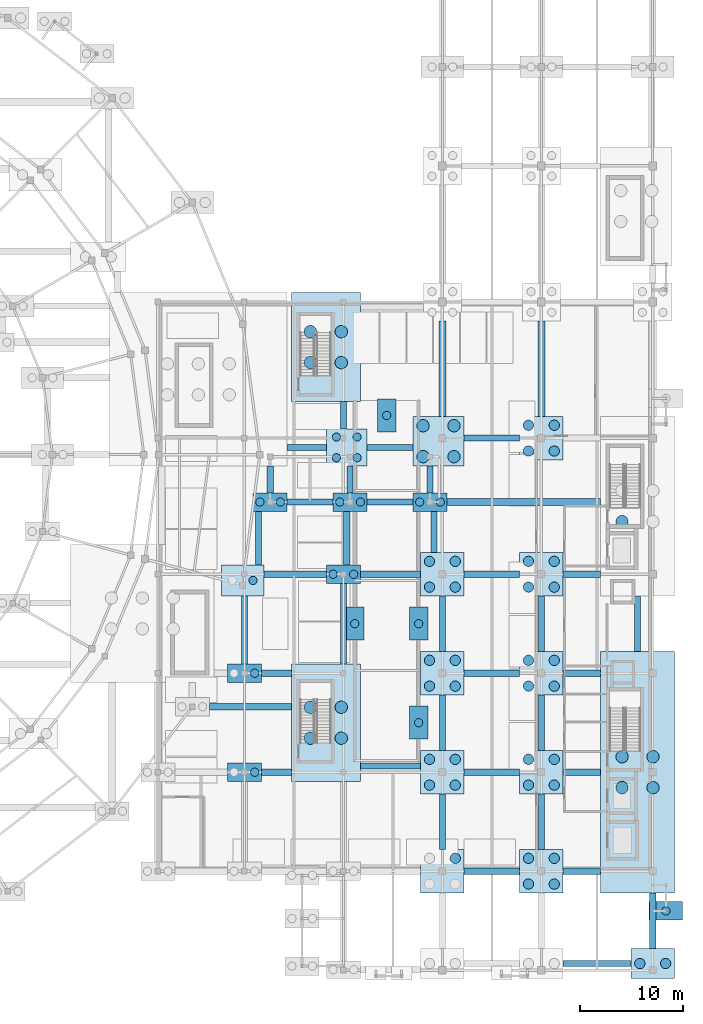
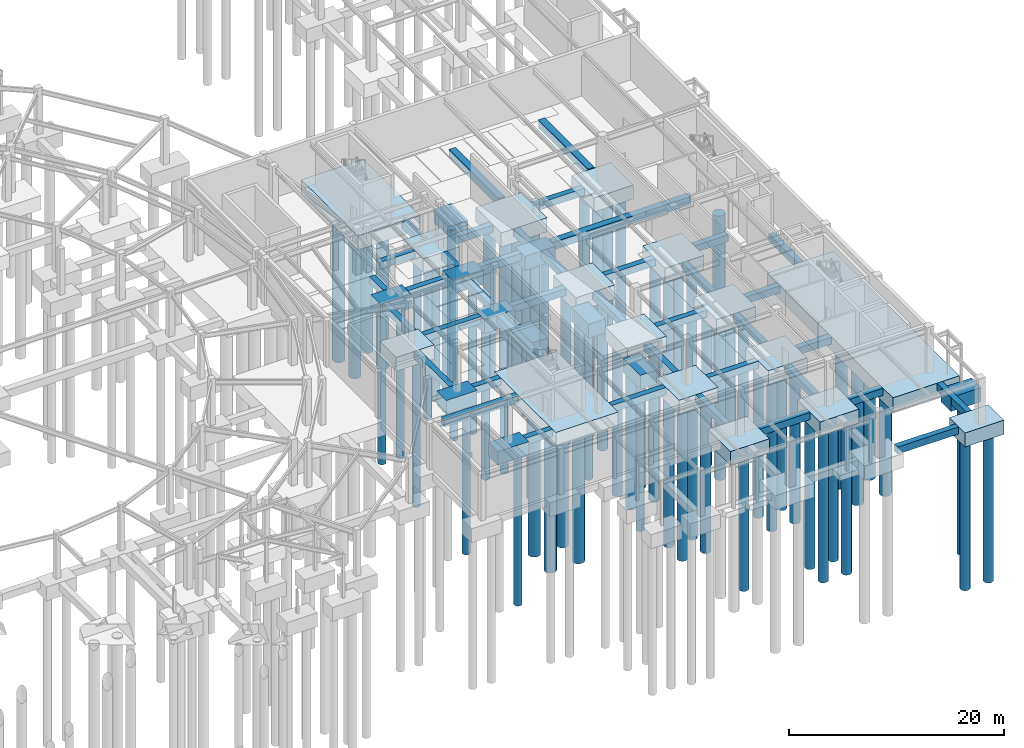
# One storey, part 6 of 55: 72 piles, 67 footings.
"""IFC4 building model written with IfcOpenShell, lengths in metres."""

from ifc_helpers import new_model, si_unit, direction, frame, origin, origin_2d, place, context, subcontext, project, spatial, rectangle, circle, extrude, material, material_profile, profile_set, type_object, element, save


model = new_model("IFC4")

# Units and contexts
model_context = context("Model", 3, precision=1e-05, world=origin(), true_north=direction((0.0, 1.0)))
body_context = subcontext(model_context, "Body", "Model", "MODEL_VIEW")
ifc_project = project(units=[si_unit("LENGTHUNIT", "METRE"), si_unit("AREAUNIT", "SQUARE_METRE"), si_unit("VOLUMEUNIT", "CUBIC_METRE"), si_unit("PLANEANGLEUNIT", "RADIAN"), si_unit("MASSUNIT", "GRAM", prefix="KILO")], contexts=[model_context])

# Site, building, storey
site_placement = place(None, origin())
site = spatial("IfcSite", under=ifc_project, at=site_placement, CompositionType="ELEMENT")
building_placement = place(site_placement, origin())
building = spatial("IfcBuilding", under=site, at=building_placement, Name="Almandine Court Research Institute", CompositionType="ELEMENT")
storey_placement = place(building_placement, frame((0.0, 0.0, -5.25)))
storey = spatial("IfcBuildingStorey", under=building, at=storey_placement, Name="B1", CompositionType="ELEMENT", Elevation=-5.25)

# Footings
ifc_material = material(Name="Concrete C35/45", Category="concrete")
footing_type_1 = type_object("IfcFootingType", Name="Cap-PC-01", PredefinedType="PILE_CAP", material=ifc_material)
footing_1_placement = place(storey_placement, frame((174.0, 6.64990234375, -1.60009765625), z_axis=(0.0, 0.0, 1.0), x_axis=(1.0, 0.0, 0.0)))
element("IfcFooting", 1, at=footing_1_placement, inside=storey, type_object=footing_type_1, Name="Reinforced Concrete Pile Cap 003", PredefinedType="PILE_CAP", context=body_context, shape_type="SweptSolid", body=[
    extrude(rectangle(XDim=4.199951171875, YDim=2.89990234375, at=origin_2d()), origin(), (0.0, 0.0, 1.0), 1.60009765625),
])
footing_type_2 = type_object("IfcFootingType", Name="Cap-PC-05", PredefinedType="PILE_CAP", material=ifc_material)
for number, where, z_axis, x_axis, name in (
    (2, (134.39990234375, 25.199951171875, -1.60009765625), (0.0, 0.0, 1.0), (1.0, 0.0, 0.0), "Reinforced Concrete Pile Cap 038"),
    (3, (134.39990234375, 34.800048828125, -1.60009765625), (0.0, 0.0, 1.0), (1.0, 0.0, 0.0), "Reinforced Concrete Pile Cap 055"),
    (4, (144.0, 44.39990234375, -1.60009765625), (0.0, 0.0, 1.0), (1.0, 0.0, 0.0), "Reinforced Concrete Pile Cap 067"),
    (5, (136.89990234375, 51.39990234375, -1.60009765625), (0.0, 0.0, 1.0), (1.0, 0.0, 0.0), "Reinforced Concrete Pile Cap 074"),
    (6, (144.64990234375, 51.39990234375, -1.60009765625), (0.0, 0.0, 1.0), (1.0, 0.0, 0.0), "Reinforced Concrete Pile Cap 075"),
    (7, (152.39990234375, 51.39990234375, -1.60009765625), (0.0, 0.0, 1.0), (1.0, 0.0, 0.0), "Reinforced Concrete Pile Cap 076"),
):
    element("IfcFooting", number, at=place(storey_placement, frame(where, z_axis=z_axis, x_axis=x_axis)), inside=storey, type_object=footing_type_2, Name=name, PredefinedType="PILE_CAP", context=body_context, shape_type="SweptSolid", body=[
        extrude(rectangle(XDim=3.300048828125, YDim=1.800048828125, at=origin_2d()), origin(), (0.0, 0.0, 1.0), 1.60009765625),
    ])
footing_type_3 = type_object("IfcFootingType", Name="Cap-PC-06", PredefinedType="PILE_CAP", material=ifc_material)
for number, where, z_axis, x_axis, name in (
    (8, (153.60009765625, 15.60009765625, -1.60009765625), (0.0, 0.0, 1.0), (1.0, 0.0, 0.0), "Reinforced Concrete Pile Cap 014"),
    (9, (163.199951171875, 15.60009765625, -1.60009765625), (0.0, 0.0, 1.0), (1.0, 0.0, 0.0), "Reinforced Concrete Pile Cap 015"),
    (10, (153.60009765625, 25.199951171875, -1.60009765625), (0.0, 0.0, 1.0), (1.0, 0.0, 0.0), "Reinforced Concrete Pile Cap 034"),
    (11, (163.199951171875, 25.199951171875, -1.60009765625), (0.0, 0.0, 1.0), (1.0, 0.0, 0.0), "Reinforced Concrete Pile Cap 035"),
    (12, (153.60009765625, 34.800048828125, -1.60009765625), (0.0, 0.0, 1.0), (1.0, 0.0, 0.0), "Reinforced Concrete Pile Cap 049"),
    (13, (163.199951171875, 34.800048828125, -1.60009765625), (0.0, 0.0, 1.0), (1.0, 0.0, 0.0), "Reinforced Concrete Pile Cap 050"),
    (14, (153.60009765625, 44.39990234375, -1.60009765625), (0.0, 0.0, 1.0), (1.0, 0.0, 0.0), "Reinforced Concrete Pile Cap 064"),
    (15, (163.199951171875, 44.39990234375, -1.60009765625), (0.0, 0.0, 1.0), (1.0, 0.0, 0.0), "Reinforced Concrete Pile Cap 065"),
    (16, (163.199951171875, 57.60009765625, -1.60009765625), (0.0, 0.0, 1.0), (1.0, 0.0, 0.0), "Reinforced Concrete Pile Cap 086"),
):
    element("IfcFooting", number, at=place(storey_placement, frame(where, z_axis=z_axis, x_axis=x_axis)), inside=storey, type_object=footing_type_3, Name=name, PredefinedType="PILE_CAP", context=body_context, shape_type="SweptSolid", body=[
        extrude(rectangle(XDim=4.199951171875, YDim=4.199951171875, at=origin_2d()), origin(), (0.0, 0.0, 1.0), 1.60009765625),
    ])
footing_type_4 = type_object("IfcFootingType", Name="Cap-PC-07", PredefinedType="PILE_CAP", material=ifc_material)
footing_2_placement = place(storey_placement, frame((172.52490234375, 25.199951171875, -1.60009765625), z_axis=(0.0, 0.0, 1.0), x_axis=(1.0, 0.0, 0.0)))
element("IfcFooting", 17, at=footing_2_placement, inside=storey, type_object=footing_type_4, Name="Reinforced Concrete Pile Cap 016", PredefinedType="PILE_CAP", context=body_context, shape_type="SweptSolid", body=[
    extrude(rectangle(XDim=7.14990234375, YDim=23.39990234375, at=origin_2d()), origin(), (0.0, 0.0, 1.0), 1.60009765625),
])
footing_type_5 = type_object("IfcFootingType", Name="Cap-PC-12", PredefinedType="PILE_CAP", material=ifc_material)
footing_3_placement = place(storey_placement, frame((142.300048828125, 30.0, -1.60009765625), z_axis=(0.0, 0.0, 1.0), x_axis=(1.0, 0.0, 0.0)))
element("IfcFooting", 18, at=footing_3_placement, inside=storey, type_object=footing_type_5, Name="Reinforced Concrete Pile Cap 039", PredefinedType="PILE_CAP", context=body_context, shape_type="SweptSolid", body=[
    extrude(rectangle(XDim=6.699951171875, YDim=11.39990234375, at=origin_2d()), origin(), (0.0, 0.0, 1.0), 1.60009765625),
])
footing_type_6 = type_object("IfcFootingType", Name="Cap-PC-19", PredefinedType="PILE_CAP", material=ifc_material)
footing_4_placement = place(storey_placement, frame((134.23388671875, 43.797119140625, -1.60009765625), z_axis=(0.0, 0.0, 1.0), x_axis=(1.0, 0.0, 0.0)))
element("IfcFooting", 19, at=footing_4_placement, inside=storey, type_object=footing_type_6, Name="Reinforced Concrete Pile Cap 063", PredefinedType="PILE_CAP", context=body_context, shape_type="SweptSolid", body=[
    extrude(rectangle(XDim=4.10009765625, YDim=3.006103515625, at=origin_2d()), origin(), (0.0, 0.0, 1.0), 1.60009765625),
])
footing_type_7 = type_object("IfcFootingType", Name="Cap-PC-23", PredefinedType="PILE_CAP", material=ifc_material)
footing_5_placement = place(storey_placement, frame((144.324951171875, 56.699951171875, -1.60009765625), z_axis=(0.0, 0.0, 1.0), x_axis=(1.0, 0.0, 0.0)))
element("IfcFooting", 20, at=footing_5_placement, inside=storey, type_object=footing_type_7, Name="Reinforced Concrete Pile Cap 078", PredefinedType="PILE_CAP", context=body_context, shape_type="SweptSolid", body=[
    extrude(rectangle(XDim=3.949951171875, YDim=3.60009765625, at=origin_2d()), origin(), (0.0, 0.0, 1.0), 1.60009765625),
])
footing_type_8 = type_object("IfcFootingType", Name="Cap-PC-24", PredefinedType="PILE_CAP", material=ifc_material)
footing_6_placement = place(storey_placement, frame((153.22509765625, 57.300048828125, -1.60009765625), z_axis=(0.0, 0.0, 1.0), x_axis=(1.0, 0.0, 0.0)))
element("IfcFooting", 21, at=footing_6_placement, inside=storey, type_object=footing_type_8, Name="Reinforced Concrete Pile Cap 079", PredefinedType="PILE_CAP", context=body_context, shape_type="SweptSolid", body=[
    extrude(rectangle(XDim=4.949951171875, YDim=4.800048828125, at=origin_2d()), origin(), (0.0, 0.0, 1.0), 1.60009765625),
])
footing_type_9 = type_object("IfcFootingType", Name="Cap-PC-26", PredefinedType="PILE_CAP", material=ifc_material)
footing_7_placement = place(storey_placement, frame((142.300048828125, 66.425048828125, -1.60009765625), z_axis=(0.0, 0.0, 1.0), x_axis=(1.0, 0.0, 0.0)))
element("IfcFooting", 22, at=footing_7_placement, inside=storey, type_object=footing_type_9, Name="Reinforced Concrete Pile Cap 087", PredefinedType="PILE_CAP", context=body_context, shape_type="SweptSolid", body=[
    extrude(rectangle(XDim=6.699951171875, YDim=10.550048828125, at=origin_2d()), origin(), (0.0, 0.0, 1.0), 1.60009765625),
])
footing_type_10 = type_object("IfcFootingType", Name="Cap-PC-S02", PredefinedType="PILE_CAP", material=ifc_material)
footing_8_placement = place(storey_placement, frame((175.27490234375, 11.75, -1.60009765625), z_axis=(0.0, 0.0, 1.0), x_axis=(1.0, 0.0, 0.0)))
element("IfcFooting", 23, at=footing_8_placement, inside=storey, type_object=footing_type_10, Name="Supplemental Threshold Pile Cap 007", PredefinedType="PILE_CAP", context=body_context, shape_type="SweptSolid", body=[
    extrude(rectangle(XDim=3.25, YDim=1.800048828125, at=origin_2d()), origin(), (0.0, 0.0, 1.0), 1.60009765625),
])
footing_type_11 = type_object("IfcFootingType", Name="Cap-PC-S03", PredefinedType="PILE_CAP", material=ifc_material)
for number, where, z_axis, x_axis, name in (
    (24, (145.10009765625, 39.60009765625, -1.60009765625), (0.0, 0.0, 1.0), (1.0, 0.0, 0.0), "Supplemental Threshold Pile Cap 028"),
    (25, (151.300048828125, 30.0, -1.60009765625), (0.0, 0.0, 1.0), (1.0, 0.0, 0.0), "Supplemental Threshold Pile Cap 029"),
    (26, (151.300048828125, 39.60009765625, -1.60009765625), (0.0, 0.0, 1.0), (1.0, 0.0, 0.0), "Supplemental Threshold Pile Cap 030"),
    (27, (148.199951171875, 59.800048828125, -1.60009765625), (0.0, 0.0, 1.0), (1.0, 0.0, 0.0), "Supplemental Threshold Pile Cap 031"),
):
    element("IfcFooting", number, at=place(storey_placement, frame(where, z_axis=z_axis, x_axis=x_axis)), inside=storey, type_object=footing_type_11, Name=name, PredefinedType="PILE_CAP", context=body_context, shape_type="SweptSolid", body=[
        extrude(rectangle(XDim=1.800048828125, YDim=3.199951171875, at=origin_2d()), origin(), (0.0, 0.0, 1.0), 1.60009765625),
    ])

# Piles
ifc_material_profile_1 = material_profile(ifc_material, circle(Radius=0.5, at=origin_2d()), Name="BORED PILE D1000")
ifc_profile_set_1 = profile_set([ifc_material_profile_1], Name="Concrete C35/45")
pile_type_1 = type_object("IfcPileType", Name="Pile-BP-1000", PredefinedType="BORED", material=ifc_profile_set_1)
for number, where, z_axis, x_axis, name in (
    (28, (172.75, 6.64990234375, -1.5), (0.0, 0.0, -1.0), (1.0, 0.0, 0.0), "Bored Pile 003-1"),
    (29, (175.25, 6.64990234375, -1.5), (0.0, 0.0, -1.0), (1.0, 0.0, 0.0), "Bored Pile 003-2"),
    (30, (154.85009765625, 16.85009765625, -1.5), (0.0, 0.0, -1.0), (1.0, 0.0, 0.0), "Bored Pile 014-4"),
    (31, (161.949951171875, 14.35009765625, -1.5), (0.0, 0.0, -1.0), (1.0, 0.0, 0.0), "Bored Pile 015-1"),
    (32, (161.949951171875, 16.85009765625, -1.5), (0.0, 0.0, -1.0), (1.0, 0.0, 0.0), "Bored Pile 015-2"),
    (33, (164.449951171875, 14.35009765625, -1.5), (0.0, 0.0, -1.0), (1.0, 0.0, 0.0), "Bored Pile 015-3"),
    (34, (164.449951171875, 16.85009765625, -1.5), (0.0, 0.0, -1.0), (1.0, 0.0, 0.0), "Bored Pile 015-4"),
    (35, (152.35009765625, 23.949951171875, -1.5), (0.0, 0.0, -1.0), (1.0, 0.0, 0.0), "Bored Pile 034-1"),
    (36, (152.35009765625, 26.449951171875, -1.5), (0.0, 0.0, -1.0), (1.0, 0.0, 0.0), "Bored Pile 034-2"),
    (37, (154.85009765625, 23.949951171875, -1.5), (0.0, 0.0, -1.0), (1.0, 0.0, 0.0), "Bored Pile 034-3"),
    (38, (154.85009765625, 26.449951171875, -1.5), (0.0, 0.0, -1.0), (1.0, 0.0, 0.0), "Bored Pile 034-4"),
    (39, (161.949951171875, 23.949951171875, -1.5), (0.0, 0.0, -1.0), (1.0, 0.0, 0.0), "Bored Pile 035-1"),
    (40, (161.949951171875, 26.449951171875, -1.5), (0.0, 0.0, -1.0), (1.0, 0.0, 0.0), "Bored Pile 035-2"),
    (41, (164.449951171875, 23.949951171875, -1.5), (0.0, 0.0, -1.0), (1.0, 0.0, 0.0), "Bored Pile 035-3"),
    (42, (164.449951171875, 26.449951171875, -1.5), (0.0, 0.0, -1.0), (1.0, 0.0, 0.0), "Bored Pile 035-4"),
    (43, (152.35009765625, 33.550048828125, -1.5), (0.0, 0.0, -1.0), (1.0, 0.0, 0.0), "Bored Pile 049-1"),
    (44, (152.35009765625, 36.050048828125, -1.5), (0.0, 0.0, -1.0), (1.0, 0.0, 0.0), "Bored Pile 049-2"),
    (45, (154.85009765625, 33.550048828125, -1.5), (0.0, 0.0, -1.0), (1.0, 0.0, 0.0), "Bored Pile 049-3"),
    (46, (154.85009765625, 36.050048828125, -1.5), (0.0, 0.0, -1.0), (1.0, 0.0, 0.0), "Bored Pile 049-4"),
    (47, (161.949951171875, 33.550048828125, -1.5), (0.0, 0.0, -1.0), (1.0, 0.0, 0.0), "Bored Pile 050-1"),
    (48, (161.949951171875, 36.050048828125, -1.5), (0.0, 0.0, -1.0), (1.0, 0.0, 0.0), "Bored Pile 050-2"),
    (49, (164.449951171875, 33.550048828125, -1.5), (0.0, 0.0, -1.0), (1.0, 0.0, 0.0), "Bored Pile 050-3"),
    (50, (164.449951171875, 36.050048828125, -1.5), (0.0, 0.0, -1.0), (1.0, 0.0, 0.0), "Bored Pile 050-4"),
    (51, (152.35009765625, 43.14990234375, -1.5), (0.0, 0.0, -1.0), (1.0, 0.0, 0.0), "Bored Pile 064-1"),
    (52, (152.35009765625, 45.64990234375, -1.5), (0.0, 0.0, -1.0), (1.0, 0.0, 0.0), "Bored Pile 064-2"),
    (53, (154.85009765625, 43.14990234375, -1.5), (0.0, 0.0, -1.0), (1.0, 0.0, 0.0), "Bored Pile 064-3"),
    (54, (154.85009765625, 45.64990234375, -1.5), (0.0, 0.0, -1.0), (1.0, 0.0, 0.0), "Bored Pile 064-4"),
    (55, (161.949951171875, 43.14990234375, -1.5), (0.0, 0.0, -1.0), (1.0, 0.0, 0.0), "Bored Pile 065-1"),
    (56, (161.949951171875, 45.64990234375, -1.5), (0.0, 0.0, -1.0), (1.0, 0.0, 0.0), "Bored Pile 065-2"),
    (57, (164.449951171875, 43.14990234375, -1.5), (0.0, 0.0, -1.0), (1.0, 0.0, 0.0), "Bored Pile 065-3"),
    (58, (164.449951171875, 45.64990234375, -1.5), (0.0, 0.0, -1.0), (1.0, 0.0, 0.0), "Bored Pile 065-4"),
    (59, (161.949951171875, 56.35009765625, -1.5), (0.0, 0.0, -1.0), (1.0, 0.0, 0.0), "Bored Pile 086-1"),
    (60, (161.949951171875, 58.85009765625, -1.5), (0.0, 0.0, -1.0), (1.0, 0.0, 0.0), "Bored Pile 086-2"),
    (61, (164.449951171875, 56.35009765625, -1.5), (0.0, 0.0, -1.0), (1.0, 0.0, 0.0), "Bored Pile 086-3"),
    (62, (164.449951171875, 58.85009765625, -1.5), (0.0, 0.0, -1.0), (1.0, 0.0, 0.0), "Bored Pile 086-4"),
):
    element("IfcPile", number, at=place(storey_placement, frame(where, z_axis=z_axis, x_axis=x_axis)), inside=storey, type_object=pile_type_1, Name=name, PredefinedType="BORED", context=body_context, shape_type="SweptSolid", body=[
        extrude(circle(Radius=0.5, at=origin_2d()), origin(), (0.0, 0.0, 1.0), 17.25),
    ])
ifc_material_profile_2 = material_profile(ifc_material, circle(Radius=0.60009765625, at=origin_2d()), Name="BORED PILE D1200")
ifc_profile_set_2 = profile_set([ifc_material_profile_2], Name="Concrete C35/45")
pile_type_2 = type_object("IfcPileType", Name="Pile-BP-1200", PredefinedType="BORED", material=ifc_profile_set_2)
for number, where, z_axis, x_axis, name in (
    (63, (171.02490234375, 23.699951171875, -1.5), (0.0, 0.0, -1.0), (1.0, 0.0, 0.0), "Bored Pile 016-1"),
    (64, (171.02490234375, 26.699951171875, -1.5), (0.0, 0.0, -1.0), (1.0, 0.0, 0.0), "Bored Pile 016-2"),
    (65, (174.02490234375, 23.699951171875, -1.5), (0.0, 0.0, -1.0), (1.0, 0.0, 0.0), "Bored Pile 016-3"),
    (66, (174.02490234375, 26.699951171875, -1.5), (0.0, 0.0, -1.0), (1.0, 0.0, 0.0), "Bored Pile 016-4"),
    (67, (140.800048828125, 28.5, -1.5), (0.0, 0.0, -1.0), (1.0, 0.0, 0.0), "Bored Pile 039-1"),
    (68, (140.800048828125, 31.5, -1.5), (0.0, 0.0, -1.0), (1.0, 0.0, 0.0), "Bored Pile 039-2"),
    (69, (143.800048828125, 28.5, -1.5), (0.0, 0.0, -1.0), (1.0, 0.0, 0.0), "Bored Pile 039-3"),
    (70, (143.800048828125, 31.5, -1.5), (0.0, 0.0, -1.0), (1.0, 0.0, 0.0), "Bored Pile 039-4"),
    (71, (171.02490234375, 49.5, -1.5), (0.0, 0.0, -1.0), (1.0, 0.0, 0.0), "Bored Pile 066-1"),
    (72, (151.72509765625, 55.800048828125, -1.5), (0.0, 0.0, -1.0), (1.0, 0.0, 0.0), "Bored Pile 079-1"),
    (73, (151.72509765625, 58.800048828125, -1.5), (0.0, 0.0, -1.0), (1.0, 0.0, 0.0), "Bored Pile 079-2"),
    (74, (154.72509765625, 55.800048828125, -1.5), (0.0, 0.0, -1.0), (1.0, 0.0, 0.0), "Bored Pile 079-3"),
    (75, (154.72509765625, 58.800048828125, -1.5), (0.0, 0.0, -1.0), (1.0, 0.0, 0.0), "Bored Pile 079-4"),
    (76, (140.800048828125, 64.925048828125, -1.5), (0.0, 0.0, -1.0), (1.0, 0.0, 0.0), "Bored Pile 087-1"),
    (77, (140.800048828125, 67.925048828125, -1.5), (0.0, 0.0, -1.0), (1.0, 0.0, 0.0), "Bored Pile 087-2"),
    (78, (143.800048828125, 64.925048828125, -1.5), (0.0, 0.0, -1.0), (1.0, 0.0, 0.0), "Bored Pile 087-3"),
    (79, (143.800048828125, 67.925048828125, -1.5), (0.0, 0.0, -1.0), (1.0, 0.0, 0.0), "Bored Pile 087-4"),
):
    element("IfcPile", number, at=place(storey_placement, frame(where, z_axis=z_axis, x_axis=x_axis)), inside=storey, type_object=pile_type_2, Name=name, PredefinedType="BORED", context=body_context, shape_type="SweptSolid", body=[
        extrude(circle(Radius=0.60009765625, at=origin_2d()), origin(), (0.0, 0.0, 1.0), 17.25),
    ])
ifc_material_profile_3 = material_profile(ifc_material, circle(Radius=0.39990234375, at=origin_2d()), Name="BORED PILE D800")
ifc_profile_set_3 = profile_set([ifc_material_profile_3], Name="Concrete C35/45")
pile_type_3 = type_object("IfcPileType", Name="Pile-BP-800", PredefinedType="BORED", material=ifc_profile_set_3)
for number, where, z_axis, x_axis, name in (
    (80, (135.39990234375, 25.199951171875, -1.5), (0.0, 0.0, -1.0), (1.0, 0.0, 0.0), "Bored Pile 038-2"),
    (81, (135.39990234375, 34.800048828125, -1.5), (0.0, 0.0, -1.0), (1.0, 0.0, 0.0), "Bored Pile 055-2"),
    (82, (135.23388671875, 43.797119140625, -1.5), (0.0, 0.0, -1.0), (1.0, 0.0, 0.0), "Bored Pile 063-2"),
    (83, (143.0, 44.39990234375, -1.5), (0.0, 0.0, -1.0), (1.0, 0.0, 0.0), "Bored Pile 067-1"),
    (84, (145.0, 44.39990234375, -1.5), (0.0, 0.0, -1.0), (1.0, 0.0, 0.0), "Bored Pile 067-2"),
    (85, (135.89990234375, 51.39990234375, -1.5), (0.0, 0.0, -1.0), (1.0, 0.0, 0.0), "Bored Pile 074-1"),
    (86, (137.89990234375, 51.39990234375, -1.5), (0.0, 0.0, -1.0), (1.0, 0.0, 0.0), "Bored Pile 074-2"),
    (87, (143.64990234375, 51.39990234375, -1.5), (0.0, 0.0, -1.0), (1.0, 0.0, 0.0), "Bored Pile 075-1"),
    (88, (145.64990234375, 51.39990234375, -1.5), (0.0, 0.0, -1.0), (1.0, 0.0, 0.0), "Bored Pile 075-2"),
    (89, (151.39990234375, 51.39990234375, -1.5), (0.0, 0.0, -1.0), (1.0, 0.0, 0.0), "Bored Pile 076-1"),
    (90, (153.39990234375, 51.39990234375, -1.5), (0.0, 0.0, -1.0), (1.0, 0.0, 0.0), "Bored Pile 076-2"),
    (91, (143.324951171875, 55.699951171875, -1.5), (0.0, 0.0, -1.0), (1.0, 0.0, 0.0), "Bored Pile 078-1"),
    (92, (143.324951171875, 57.699951171875, -1.5), (0.0, 0.0, -1.0), (1.0, 0.0, 0.0), "Bored Pile 078-2"),
    (93, (145.324951171875, 55.699951171875, -1.5), (0.0, 0.0, -1.0), (1.0, 0.0, 0.0), "Bored Pile 078-3"),
    (94, (145.324951171875, 57.699951171875, -1.5), (0.0, 0.0, -1.0), (1.0, 0.0, 0.0), "Bored Pile 078-4"),
    (95, (175.27490234375, 11.75, -1.5), (0.0, 0.0, -1.0), (1.0, 0.0, 0.0), "Supplemental Bored Pile 007-1"),
    (96, (145.10009765625, 39.60009765625, -1.5), (0.0, 0.0, -1.0), (1.0, 0.0, 0.0), "Supplemental Bored Pile 028-1"),
    (97, (151.300048828125, 30.0, -1.5), (0.0, 0.0, -1.0), (1.0, 0.0, 0.0), "Supplemental Bored Pile 029-1"),
    (98, (151.300048828125, 39.60009765625, -1.5), (0.0, 0.0, -1.0), (1.0, 0.0, 0.0), "Supplemental Bored Pile 030-1"),
    (99, (148.199951171875, 59.800048828125, -1.5), (0.0, 0.0, -1.0), (1.0, 0.0, 0.0), "Supplemental Bored Pile 031-1"),
):
    element("IfcPile", number, at=place(storey_placement, frame(where, z_axis=z_axis, x_axis=x_axis)), inside=storey, type_object=pile_type_3, Name=name, PredefinedType="BORED", context=body_context, shape_type="SweptSolid", body=[
        extrude(circle(Radius=0.39990234375, at=origin_2d()), origin(), (0.0, 0.0, 1.0), 17.25),
    ])

# Footings
ifc_material_profile_4 = material_profile(ifc_material, rectangle(XDim=0.60009765625, YDim=0.800048828125, at=origin_2d()), Name="RC TIE 600x800")
ifc_profile_set_4 = profile_set([ifc_material_profile_4], Name="Concrete C35/45")
footing_type_12 = type_object("IfcFootingType", Name="TieBeam-TB1", PredefinedType="FOOTING_BEAM", material=ifc_profile_set_4)
footing_9_placement = place(storey_placement, frame((130.9990234375, 31.550048828125, -0.39990234375), z_axis=(1.0, 0.0, 0.0), x_axis=(0.0, 1.0, 0.0)))
element("IfcFooting", 100, at=footing_9_placement, inside=storey, type_object=footing_type_12, Name="Seismic Foundation Tie Beam 067", PredefinedType="FOOTING_BEAM", context=body_context, shape_type="SweptSolid", body=[
    extrude(rectangle(XDim=0.60009765625, YDim=0.800048828125, at=origin_2d()), origin(), (0.0, 0.0, 1.0), 7.950927734375),
])
footing_10_placement = place(storey_placement, frame((138.550048828125, 56.699951171875, -0.39990234375), z_axis=(1.0, 0.0, 0.0), x_axis=(0.0, 1.0, 0.0)))
element("IfcFooting", 101, at=footing_10_placement, inside=storey, type_object=footing_type_12, Name="Seismic Foundation Tie Beam 068", PredefinedType="FOOTING_BEAM", context=body_context, shape_type="SweptSolid", body=[
    extrude(rectangle(XDim=0.60009765625, YDim=0.800048828125, at=origin_2d()), origin(), (0.0, 0.0, 1.0), 3.800048828125),
])
footing_11_placement = place(storey_placement, frame((136.283935546875, 44.39990234375, -0.39990234375), z_axis=(1.0, 0.0, 0.0), x_axis=(0.0, 1.0, 0.0)))
element("IfcFooting", 102, at=footing_11_placement, inside=storey, type_object=footing_type_12, Name="Seismic Foundation Tie Beam 069", PredefinedType="FOOTING_BEAM", context=body_context, shape_type="SweptSolid", body=[
    extrude(rectangle(XDim=0.60009765625, YDim=0.800048828125, at=origin_2d()), origin(), (0.0, 0.0, 1.0), 6.066162109375),
])
for number, where, z_axis, x_axis, name in (
    (103, (136.050048828125, 25.199951171875, -0.39990234375), (1.0, 0.0, 0.0), (0.0, 1.0, 0.0), "Seismic Foundation Tie Beam 071"),
    (104, (136.050048828125, 34.800048828125, -0.39990234375), (1.0, 0.0, 0.0), (0.0, 1.0, 0.0), "Seismic Foundation Tie Beam 072"),
):
    element("IfcFooting", number, at=place(storey_placement, frame(where, z_axis=z_axis, x_axis=x_axis)), inside=storey, type_object=footing_type_12, Name=name, PredefinedType="FOOTING_BEAM", context=body_context, shape_type="SweptSolid", body=[
        extrude(rectangle(XDim=0.60009765625, YDim=0.800048828125, at=origin_2d()), origin(), (0.0, 0.0, 1.0), 2.89990234375),
    ])
footing_12_placement = place(storey_placement, frame((138.550048828125, 51.39990234375, -0.39990234375), z_axis=(1.0, 0.0, 0.0), x_axis=(0.0, 1.0, 0.0)))
element("IfcFooting", 105, at=footing_12_placement, inside=storey, type_object=footing_type_12, Name="Seismic Foundation Tie Beam 073", PredefinedType="FOOTING_BEAM", context=body_context, shape_type="SweptSolid", body=[
    extrude(rectangle(XDim=0.60009765625, YDim=0.800048828125, at=origin_2d()), origin(), (0.0, 0.0, 1.0), 4.449951171875),
])
for number, where, z_axis, x_axis, name in (
    (106, (145.64990234375, 25.800048828125, -0.39990234375), (1.0, 0.0, 0.0), (0.0, 1.0, 0.0), "Seismic Foundation Tie Beam 074"),
    (107, (145.64990234375, 44.39990234375, -0.39990234375), (1.0, 0.0, 0.0), (0.0, 1.0, 0.0), "Seismic Foundation Tie Beam 078"),
):
    element("IfcFooting", number, at=place(storey_placement, frame(where, z_axis=z_axis, x_axis=x_axis)), inside=storey, type_object=footing_type_12, Name=name, PredefinedType="FOOTING_BEAM", context=body_context, shape_type="SweptSolid", body=[
        extrude(rectangle(XDim=0.60009765625, YDim=0.800048828125, at=origin_2d()), origin(), (0.0, 0.0, 1.0), 5.85009765625),
    ])
for number, where, z_axis, x_axis, name in (
    (108, (146.300048828125, 56.699951171875, -0.39990234375), (1.0, 0.0, 0.0), (0.0, 1.0, 0.0), "Seismic Foundation Tie Beam 079"),
    (109, (146.300048828125, 51.39990234375, -0.39990234375), (1.0, 0.0, 0.0), (0.0, 1.0, 0.0), "Seismic Foundation Tie Beam 080"),
):
    element("IfcFooting", number, at=place(storey_placement, frame(where, z_axis=z_axis, x_axis=x_axis)), inside=storey, type_object=footing_type_12, Name=name, PredefinedType="FOOTING_BEAM", context=body_context, shape_type="SweptSolid", body=[
        extrude(rectangle(XDim=0.60009765625, YDim=0.800048828125, at=origin_2d()), origin(), (0.0, 0.0, 1.0), 4.449951171875),
    ])
for number, where, z_axis, x_axis, name in (
    (110, (155.699951171875, 57.60009765625, -0.39990234375), (1.0, 0.0, 0.0), (0.0, 1.0, 0.0), "Seismic Foundation Tie Beam 082"),
    (111, (155.699951171875, 15.60009765625, -0.39990234375), (1.0, 0.0, 0.0), (0.0, 1.0, 0.0), "Seismic Foundation Tie Beam 084"),
    (112, (155.699951171875, 25.199951171875, -0.39990234375), (1.0, 0.0, 0.0), (0.0, 1.0, 0.0), "Seismic Foundation Tie Beam 085"),
    (113, (155.699951171875, 34.800048828125, -0.39990234375), (1.0, 0.0, 0.0), (0.0, 1.0, 0.0), "Seismic Foundation Tie Beam 086"),
    (114, (155.699951171875, 44.39990234375, -0.39990234375), (1.0, 0.0, 0.0), (0.0, 1.0, 0.0), "Seismic Foundation Tie Beam 087"),
):
    element("IfcFooting", number, at=place(storey_placement, frame(where, z_axis=z_axis, x_axis=x_axis)), inside=storey, type_object=footing_type_12, Name=name, PredefinedType="FOOTING_BEAM", context=body_context, shape_type="SweptSolid", body=[
        extrude(rectangle(XDim=0.60009765625, YDim=0.800048828125, at=origin_2d()), origin(), (0.0, 0.0, 1.0), 5.400146484375),
    ])
footing_13_placement = place(storey_placement, frame((165.300048828125, 6.64990234375, -0.39990234375), z_axis=(1.0, 0.0, 0.0), x_axis=(0.0, 1.0, 0.0)))
element("IfcFooting", 115, at=footing_13_placement, inside=storey, type_object=footing_type_12, Name="Seismic Foundation Tie Beam 094", PredefinedType="FOOTING_BEAM", context=body_context, shape_type="SweptSolid", body=[
    extrude(rectangle(XDim=0.60009765625, YDim=0.800048828125, at=origin_2d()), origin(), (0.0, 0.0, 1.0), 6.599853515625),
])
for number, where, z_axis, x_axis, name in (
    (116, (165.300048828125, 15.60009765625, -0.39990234375), (1.0, 0.0, 0.0), (0.0, 1.0, 0.0), "Seismic Foundation Tie Beam 095"),
    (117, (165.300048828125, 25.199951171875, -0.39990234375), (1.0, 0.0, 0.0), (0.0, 1.0, 0.0), "Seismic Foundation Tie Beam 096"),
    (118, (165.300048828125, 34.800048828125, -0.39990234375), (1.0, 0.0, 0.0), (0.0, 1.0, 0.0), "Seismic Foundation Tie Beam 097"),
    (119, (165.300048828125, 44.39990234375, -0.39990234375), (1.0, 0.0, 0.0), (0.0, 1.0, 0.0), "Seismic Foundation Tie Beam 098"),
):
    element("IfcFooting", number, at=place(storey_placement, frame(where, z_axis=z_axis, x_axis=x_axis)), inside=storey, type_object=footing_type_12, Name=name, PredefinedType="FOOTING_BEAM", context=body_context, shape_type="SweptSolid", body=[
        extrude(rectangle(XDim=0.60009765625, YDim=0.800048828125, at=origin_2d()), origin(), (0.0, 0.0, 1.0), 3.64990234375),
    ])
footing_14_placement = place(storey_placement, frame((174.0, 8.10009765625, -0.39990234375), z_axis=(0.0, 1.0, 0.0), x_axis=(-1.0, 0.0, 0.0)))
element("IfcFooting", 120, at=footing_14_placement, inside=storey, type_object=footing_type_12, Name="Seismic Foundation Tie Beam 113", PredefinedType="FOOTING_BEAM", context=body_context, shape_type="SweptSolid", body=[
    extrude(rectangle(XDim=0.60009765625, YDim=0.800048828125, at=origin_2d()), origin(), (0.0, 0.0, 1.0), 5.39990234375),
])
for number, where, z_axis, x_axis, name in (
    (121, (153.60009765625, 17.699951171875, -0.39990234375), (0.0, 1.0, 0.0), (-1.0, 0.0, 0.0), "Seismic Foundation Tie Beam 117"),
    (122, (163.199951171875, 17.699951171875, -0.39990234375), (0.0, 1.0, 0.0), (-1.0, 0.0, 0.0), "Seismic Foundation Tie Beam 118"),
    (123, (172.52490234375, 36.89990234375, -0.39990234375), (0.0, 1.0, 0.0), (-1.0, 0.0, 0.0), "Seismic Foundation Tie Beam 131"),
):
    element("IfcFooting", number, at=place(storey_placement, frame(where, z_axis=z_axis, x_axis=x_axis)), inside=storey, type_object=footing_type_12, Name=name, PredefinedType="FOOTING_BEAM", context=body_context, shape_type="SweptSolid", body=[
        extrude(rectangle(XDim=0.60009765625, YDim=0.800048828125, at=origin_2d()), origin(), (0.0, 0.0, 1.0), 5.400146484375),
    ])
for number, where, z_axis, x_axis, name in (
    (124, (153.60009765625, 27.300048828125, -0.39990234375), (0.0, 1.0, 0.0), (-1.0, 0.0, 0.0), "Seismic Foundation Tie Beam 132"),
    (125, (163.199951171875, 27.300048828125, -0.39990234375), (0.0, 1.0, 0.0), (-1.0, 0.0, 0.0), "Seismic Foundation Tie Beam 133"),
):
    element("IfcFooting", number, at=place(storey_placement, frame(where, z_axis=z_axis, x_axis=x_axis)), inside=storey, type_object=footing_type_12, Name=name, PredefinedType="FOOTING_BEAM", context=body_context, shape_type="SweptSolid", body=[
        extrude(rectangle(XDim=0.60009765625, YDim=0.800048828125, at=origin_2d()), origin(), (0.0, 0.0, 1.0), 5.39990234375),
    ])
footing_15_placement = place(storey_placement, frame((144.0, 35.699951171875, -0.39990234375), z_axis=(0.0, 1.0, 0.0), x_axis=(-1.0, 0.0, 0.0)))
element("IfcFooting", 126, at=footing_15_placement, inside=storey, type_object=footing_type_12, Name="Seismic Foundation Tie Beam 135", PredefinedType="FOOTING_BEAM", context=body_context, shape_type="SweptSolid", body=[
    extrude(rectangle(XDim=0.60009765625, YDim=0.800048828125, at=origin_2d()), origin(), (0.0, 0.0, 1.0), 7.800048828125),
])
for number, where, z_axis, x_axis, name in (
    (127, (153.60009765625, 36.89990234375, -0.39990234375), (0.0, 1.0, 0.0), (-1.0, 0.0, 0.0), "Seismic Foundation Tie Beam 138"),
    (128, (163.199951171875, 36.89990234375, -0.39990234375), (0.0, 1.0, 0.0), (-1.0, 0.0, 0.0), "Seismic Foundation Tie Beam 139"),
):
    element("IfcFooting", number, at=place(storey_placement, frame(where, z_axis=z_axis, x_axis=x_axis)), inside=storey, type_object=footing_type_12, Name=name, PredefinedType="FOOTING_BEAM", context=body_context, shape_type="SweptSolid", body=[
        extrude(rectangle(XDim=0.60009765625, YDim=0.800048828125, at=origin_2d()), origin(), (0.0, 0.0, 1.0), 5.400146484375),
    ])
footing_16_placement = place(storey_placement, frame((134.39990234375, 35.699951171875, -0.39990234375), z_axis=(0.0, 1.0, 0.0), x_axis=(-1.0, 0.0, 0.0)))
element("IfcFooting", 129, at=footing_16_placement, inside=storey, type_object=footing_type_12, Name="Seismic Foundation Tie Beam 140", PredefinedType="FOOTING_BEAM", context=body_context, shape_type="SweptSolid", body=[
    extrude(rectangle(XDim=0.60009765625, YDim=0.800048828125, at=origin_2d()), origin(), (0.0, 0.0, 1.0), 6.593994140625),
])
footing_17_placement = place(storey_placement, frame((135.76708984375, 45.300048828125, -0.39990234375), z_axis=(0.0, 1.0, 0.0), x_axis=(-1.0, 0.0, 0.0)))
element("IfcFooting", 130, at=footing_17_placement, inside=storey, type_object=footing_type_12, Name="Seismic Foundation Tie Beam 146", PredefinedType="FOOTING_BEAM", context=body_context, shape_type="SweptSolid", body=[
    extrude(rectangle(XDim=0.60009765625, YDim=0.800048828125, at=origin_2d()), origin(), (0.0, 0.0, 1.0), 5.199951171875),
])
footing_18_placement = place(storey_placement, frame((152.77490234375, 46.5, -0.39990234375), z_axis=(0.0, 1.0, 0.0), x_axis=(-1.0, 0.0, 0.0)))
element("IfcFooting", 131, at=footing_18_placement, inside=storey, type_object=footing_type_12, Name="Seismic Foundation Tie Beam 147", PredefinedType="FOOTING_BEAM", context=body_context, shape_type="SweptSolid", body=[
    extrude(rectangle(XDim=0.60009765625, YDim=0.800048828125, at=origin_2d()), origin(), (0.0, 0.0, 1.0), 4.0),
])
footing_19_placement = place(storey_placement, frame((144.324951171875, 45.300048828125, -0.39990234375), z_axis=(0.0, 1.0, 0.0), x_axis=(-1.0, 0.0, 0.0)))
element("IfcFooting", 132, at=footing_19_placement, inside=storey, type_object=footing_type_12, Name="Seismic Foundation Tie Beam 148", PredefinedType="FOOTING_BEAM", context=body_context, shape_type="SweptSolid", body=[
    extrude(rectangle(XDim=0.60009765625, YDim=0.800048828125, at=origin_2d()), origin(), (0.0, 0.0, 1.0), 5.199951171875),
])
for number, where, z_axis, x_axis, name in (
    (133, (136.89990234375, 52.300048828125, -0.39990234375), (0.0, 1.0, 0.0), (-1.0, 0.0, 0.0), "Seismic Foundation Tie Beam 153"),
    (134, (144.64990234375, 52.300048828125, -0.39990234375), (0.0, 1.0, 0.0), (-1.0, 0.0, 0.0), "Seismic Foundation Tie Beam 154"),
    (135, (152.39990234375, 52.300048828125, -0.39990234375), (0.0, 1.0, 0.0), (-1.0, 0.0, 0.0), "Seismic Foundation Tie Beam 155"),
):
    element("IfcFooting", number, at=place(storey_placement, frame(where, z_axis=z_axis, x_axis=x_axis)), inside=storey, type_object=footing_type_12, Name=name, PredefinedType="FOOTING_BEAM", context=body_context, shape_type="SweptSolid", body=[
        extrude(rectangle(XDim=0.60009765625, YDim=0.800048828125, at=origin_2d()), origin(), (0.0, 0.0, 1.0), 2.599853515625),
    ])
footing_20_placement = place(storey_placement, frame((144.0, 58.5, -0.39990234375), z_axis=(0.0, 1.0, 0.0), x_axis=(-1.0, 0.0, 0.0)))
element("IfcFooting", 136, at=footing_20_placement, inside=storey, type_object=footing_type_12, Name="Seismic Foundation Tie Beam 160", PredefinedType="FOOTING_BEAM", context=body_context, shape_type="SweptSolid", body=[
    extrude(rectangle(XDim=0.60009765625, YDim=0.800048828125, at=origin_2d()), origin(), (0.0, 0.0, 1.0), 2.64990234375),
])
ifc_material_profile_5 = material_profile(ifc_material, rectangle(XDim=0.699951171875, YDim=0.89990234375, at=origin_2d()), Name="RC TIE 700x900")
ifc_profile_set_5 = profile_set([ifc_material_profile_5], Name="Concrete C35/45")
footing_type_13 = type_object("IfcFootingType", Name="TieBeam-TB2", PredefinedType="FOOTING_BEAM", material=ifc_profile_set_5)
footing_21_placement = place(storey_placement, frame((154.050048828125, 51.39990234375, -0.35009765625), z_axis=(1.0, 0.0, 0.0), x_axis=(0.0, 1.0, 0.0)))
element("IfcFooting", 137, at=footing_21_placement, inside=storey, type_object=footing_type_13, Name="Seismic Foundation Tie Beam 081", PredefinedType="FOOTING_BEAM", context=body_context, shape_type="SweptSolid", body=[
    extrude(rectangle(XDim=0.699951171875, YDim=0.89990234375, at=origin_2d()), origin(), (0.0, 0.0, 1.0), 14.89990234375),
])
for number, where, z_axis, x_axis, name in (
    (138, (153.60009765625, 59.699951171875, -0.35009765625), (0.0, 1.0, 0.0), (-1.0, 0.0, 0.0), "Seismic Foundation Tie Beam 161"),
    (139, (163.199951171875, 59.699951171875, -0.35009765625), (0.0, 1.0, 0.0), (-1.0, 0.0, 0.0), "Seismic Foundation Tie Beam 162"),
):
    element("IfcFooting", number, at=place(storey_placement, frame(where, z_axis=z_axis, x_axis=x_axis)), inside=storey, type_object=footing_type_13, Name=name, PredefinedType="FOOTING_BEAM", context=body_context, shape_type="SweptSolid", body=[
        extrude(rectangle(XDim=0.699951171875, YDim=0.89990234375, at=origin_2d()), origin(), (0.0, 0.0, 1.0), 9.25),
    ])

save(model, "model.ifc")
